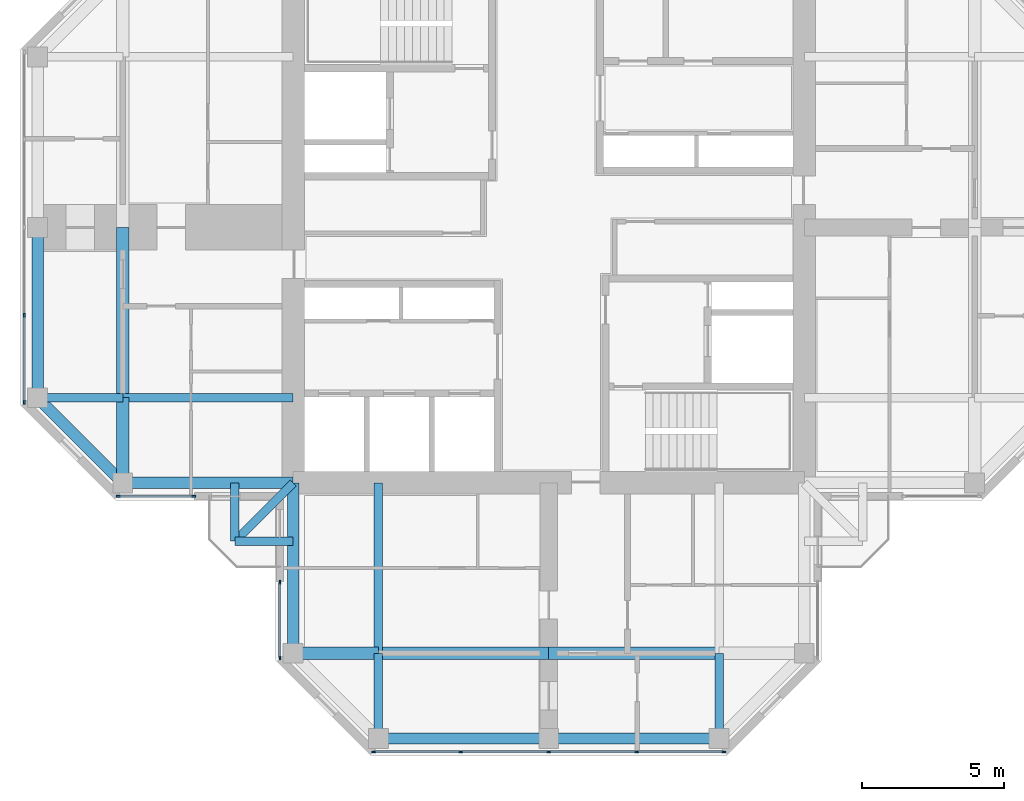
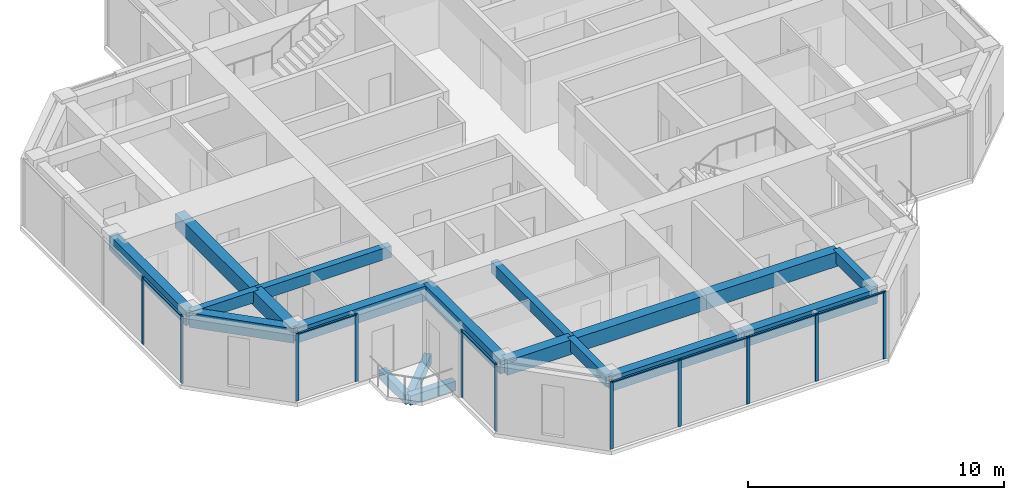
# One storey, part 2 of 13: 19 beams, 18 members, 4 elements without a shape of their own.
"""IFC4 building model written with IfcOpenShell, lengths in metres."""

import ifcopenshell
import ifcopenshell.guid

model = None  # the IFC model being written
_history = None  # IfcOwnerHistory: only IFC2X3 demands one
_inside = {}  # id of a spatial element -> (the spatial element, [elements in it])
_under = {}  # id of a project, library or spatial element -> (it, [spatial elements below it])
_declared = {}  # id of a project -> (the project, [libraries it declares])
_typed = {}  # id of a type object -> (the type object, [elements of that type])
_made_of = {}  # id of a material, layer set ... -> (it, [elements and type objects made of it])


def new_model(schema):
    """Start an empty IFC model of exactly this schema.

    Asked for "IFC4X3", IfcOpenShell would pick the latest addendum, in which some entities
    have other attributes; the version numbers below select the first issue.
    IFC2X3 requires an IfcOwnerHistory on every rooted entity: one is made here for all.
    """
    global model, _history
    if schema == "IFC4X3":
        model = ifcopenshell.file(schema_version=(4, 3, 0, 0))
    else:
        model = ifcopenshell.file(schema=schema)
    _inside.clear()
    _under.clear()
    _declared.clear()
    _typed.clear()
    _made_of.clear()
    _history = None
    if model.schema == "IFC2X3":
        org = make("IfcOrganization", Name="unknown")
        user = make(
            "IfcPersonAndOrganization",
            ThePerson=make("IfcPerson", FamilyName="unknown"),
            TheOrganization=org,
        )
        app = make(
            "IfcApplication",
            ApplicationDeveloper=org,
            Version="unknown",
            ApplicationFullName="unknown",
            ApplicationIdentifier="unknown",
        )
        _history = make(
            "IfcOwnerHistory",
            OwningUser=user,
            OwningApplication=app,
            ChangeAction="ADDED",
            CreationDate=0,
        )
    return model


def make(cls, **values):
    """One entity of the class cls with the attributes given. An attribute that is None is left unset."""
    return model.create_entity(
        cls, **{name: value for name, value in values.items() if value is not None}
    )


def rooted(cls, **values):
    """An entity with a GlobalId (a new one), such as an element, a storey or a relation."""
    return make(cls, GlobalId=ifcopenshell.guid.new(), OwnerHistory=_history, **values)


def si_unit(unit_type, name, prefix=None):
    """IfcSIUnit, for example si_unit("LENGTHUNIT", "METRE", prefix="MILLI")."""
    return make("IfcSIUnit", UnitType=unit_type, Prefix=prefix, Name=name)


def assignment(units):
    """IfcUnitAssignment: the units of a project."""
    return None if units is None else make("IfcUnitAssignment", Units=units)


def point(xyz):
    """IfcCartesianPoint."""
    return None if xyz is None else make("IfcCartesianPoint", Coordinates=xyz)


def direction(xyz):
    """IfcDirection."""
    return None if xyz is None else make("IfcDirection", DirectionRatios=xyz)


def frame(location, z_axis=None, x_axis=None):
    """IfcAxis2Placement3D, a coordinate frame: its origin and axes. An axis left out is left unset."""
    return make(
        "IfcAxis2Placement3D",
        Location=point(location),
        Axis=direction(z_axis),
        RefDirection=direction(x_axis),
    )


def frame_2d(location, x_axis=None):
    """IfcAxis2Placement2D, a coordinate frame in the plane: its origin and x axis."""
    return make(
        "IfcAxis2Placement2D", Location=point(location), RefDirection=direction(x_axis)
    )


def origin():
    """The frame at (0, 0, 0) with its axes left unset."""
    return frame((0.0, 0.0, 0.0))


def origin_2d():
    """The frame at (0, 0) in the plane with its x axis left unset."""
    return frame_2d((0.0, 0.0))


def place(relative_to, where):
    """IfcLocalPlacement: puts the frame where relative to a parent placement (None: the world)."""
    return make(
        "IfcLocalPlacement", PlacementRelTo=relative_to, RelativePlacement=where
    )


def context(
    kind, dimensions, precision=None, world=None, true_north=None, identifier=None
):
    """IfcGeometricRepresentationContext, for example the 3D "Model" context."""
    return make(
        "IfcGeometricRepresentationContext",
        ContextIdentifier=identifier,
        ContextType=kind,
        CoordinateSpaceDimension=dimensions,
        Precision=precision,
        WorldCoordinateSystem=world,
        TrueNorth=true_north,
    )


def subcontext(parent, identifier, kind, view, scale=None):
    """IfcGeometricRepresentationSubContext, for example "Body" below "Model"."""
    return make(
        "IfcGeometricRepresentationSubContext",
        ContextIdentifier=identifier,
        ContextType=kind,
        ParentContext=parent,
        TargetScale=scale,
        TargetView=view,
    )


def project(units=None, contexts=None):
    """IfcProject with its units and contexts."""
    return rooted(
        "IfcProject",
        Name="project",
        RepresentationContexts=contexts,
        UnitsInContext=assignment(units),
    )


def spatial(cls, under=None, at=None, **own):
    """A site, building, storey or space (cls), placed at a placement, below another one or the project."""
    s = rooted(cls, ObjectPlacement=at, **own)
    if under is not None:
        _under.setdefault(under.id(), (under, []))[1].append(s)
    return s


def profile(cls, at=None, kind="AREA", **sizes):
    """A parametric profile (cls). Its sizes go by their IFC names, for example OverallWidth=200.0."""
    return make(cls, ProfileType=kind, Position=at, **sizes)


def rectangle(**sizes):
    """IfcRectangleProfileDef."""
    return profile("IfcRectangleProfileDef", **sizes)


def extrude(swept, where, along, depth):
    """IfcExtrudedAreaSolid: the profile swept, set in the frame where, extruded along a direction by depth."""
    return make(
        "IfcExtrudedAreaSolid",
        SweptArea=swept,
        Position=where,
        ExtrudedDirection=direction(along),
        Depth=depth,
    )


def shape(context_of_items, identifier, shape_type, items):
    """IfcShapeRepresentation: the items that make up one representation, for example the "Body"."""
    return make(
        "IfcShapeRepresentation",
        ContextOfItems=context_of_items,
        RepresentationIdentifier=identifier,
        RepresentationType=shape_type,
        Items=items,
    )


def material(Name=None, Category=None):
    """IfcMaterial."""
    return make("IfcMaterial", Name=Name, Category=Category)


def material_profile(
    of_material, cross_section, Name=None, Category=None, Priority=None
):
    """IfcMaterialProfile: a cross section and its material."""
    return make(
        "IfcMaterialProfile",
        Name=Name,
        Material=of_material,
        Profile=cross_section,
        Priority=Priority,
        Category=Category,
    )


def profile_set(profiles, Name=None, composite=None):
    """IfcMaterialProfileSet."""
    return make(
        "IfcMaterialProfileSet",
        Name=Name,
        MaterialProfiles=profiles,
        CompositeProfile=composite,
    )


def made_of(thing, what):
    """Note that an element or type object is made of a material, layer set ...; save() writes the relation."""
    if what is not None:
        _made_of.setdefault(what.id(), (what, []))[1].append(thing)
    return thing


def type_object(cls, material=None, **own):
    """A type object (cls), such as IfcWallType, which elements share."""
    return made_of(rooted(cls, **own), material)


def element(
    cls,
    number,
    at=None,
    inside=None,
    cuts=None,
    type_object=None,
    material=None,
    context=None,
    identifier="Body",
    shape_type=None,
    held_by="IfcProductDefinitionShape",
    body=None,
    shapes=None,
    **own,
):
    """One element of the class cls, such as IfcWall. Its Tag is "e" and its number.

    at: its placement. inside: the storey or other place that contains it. cuts: it is an
    opening in that element (IfcRelVoidsElement). A single representation is given by context,
    identifier, shape_type and body (its items); several are given by shapes. held_by: the class
    of the entity that holds the representations. save() writes the other relations.
    """
    e = rooted(cls, Tag="e%d" % number, ObjectPlacement=at, **own)
    if body is not None:
        shapes = [shape(context, identifier, shape_type, body)]
    if shapes is not None:
        e.Representation = make(held_by, Representations=shapes)
    if inside is not None:
        _inside.setdefault(inside.id(), (inside, []))[1].append(e)
    if cuts is not None:
        rooted(
            "IfcRelVoidsElement", RelatingBuildingElement=cuts, RelatedOpeningElement=e
        )
    if type_object is not None:
        _typed.setdefault(type_object.id(), (type_object, []))[1].append(e)
    return made_of(e, material)


def aggregate(whole, parts):
    """IfcRelAggregates: a whole, such as a stair, and the parts it consists of."""
    return rooted("IfcRelAggregates", RelatingObject=whole, RelatedObjects=parts)


def save(model, path):
    """Write the relations noted so far, then the file.

    IfcRelAggregates (storeys below a building ...), IfcRelContainedInSpatialStructure (elements
    in a storey), IfcRelDefinesByType, IfcRelAssociatesMaterial and IfcRelDeclares: one each for
    every whole, place, type object, material and project.
    """
    for whole, parts in _under.values():
        aggregate(whole, parts)
    for where, things in _inside.values():
        rooted(
            "IfcRelContainedInSpatialStructure",
            RelatedElements=things,
            RelatingStructure=where,
        )
    for kind, things in _typed.values():
        rooted("IfcRelDefinesByType", RelatedObjects=things, RelatingType=kind)
    for what, things in _made_of.values():
        rooted("IfcRelAssociatesMaterial", RelatedObjects=things, RelatingMaterial=what)
    for by, libraries in _declared.values():
        rooted("IfcRelDeclares", RelatingContext=by, RelatedDefinitions=libraries)
    model.write(path)


model = new_model("IFC4")

# Units and contexts
model_context = context("Model", 3, precision=1e-05, world=origin(), true_north=direction((0.0, 1.0)))
body_context = subcontext(model_context, "Body", "Model", "MODEL_VIEW")
ifc_project = project(units=[si_unit("LENGTHUNIT", "METRE"), si_unit("AREAUNIT", "SQUARE_METRE"), si_unit("VOLUMEUNIT", "CUBIC_METRE"), si_unit("PLANEANGLEUNIT", "RADIAN"), si_unit("MASSUNIT", "GRAM", prefix="KILO")], contexts=[model_context])

# Site, building, storey
site_placement = place(None, origin())
site = spatial("IfcSite", under=ifc_project, at=site_placement, CompositionType="ELEMENT")
building_placement = place(site_placement, origin())
building = spatial("IfcBuilding", under=site, at=building_placement, Name="Torre Cruceta", CompositionType="ELEMENT")
storey_placement = place(building_placement, frame((0.0, 0.0, 264.5)))
storey = spatial("IfcBuildingStorey", under=building, at=storey_placement, Name="L68", CompositionType="ELEMENT", Elevation=264.5)

# Beams
ifc_material_1 = material(Name="Concrete G60 (fck 60 MPa)", Category="concrete")
ifc_material_profile_1 = material_profile(ifc_material_1, rectangle(XDim=0.300048828125, YDim=0.449951171875, at=origin_2d()), Name="RC 300X450")
ifc_profile_set_1 = profile_set([ifc_material_profile_1], Name="Concrete G60 (fck 60 MPa)")
beam_type_1 = type_object("IfcBeamType", Name="BALCONY CANTILEVER BEAM RC 300X450", PredefinedType="BEAM", material=ifc_profile_set_1)
beam_1_placement = place(storey_placement, frame((-9.0, -9.0, -0.405029296875), z_axis=(-0.707106781187, -0.707106781187, 0.0), x_axis=(0.707106781187, -0.707106781187, 0.0)))
element("IfcBeam", 1, at=beam_1_placement, inside=storey, type_object=beam_type_1, Name="BB1 balcony beam L68 W", PredefinedType="BEAM", context=body_context, shape_type="SweptSolid", body=[
    extrude(rectangle(XDim=0.300048828125, YDim=0.449951171875, at=origin_2d()), origin(), (0.0, 0.0, 1.0), 2.89990234375),
])
for number, where, z_axis, x_axis, name in (
    (2, (-11.050537109375, -9.0, -0.405029296875), (0.0, -1.0, 0.0), (1.0, 0.0, 0.0), "BB1 balcony edge beam L68 W-X"),
    (3, (-9.0, -11.050537109375, -0.405029296875), (-1.0, 0.0, 0.0), (0.0, -1.0, 0.0), "BB1 balcony edge beam L68 W-Y"),
):
    element("IfcBeam", number, at=place(storey_placement, frame(where, z_axis=z_axis, x_axis=x_axis)), inside=storey, type_object=beam_type_1, Name=name, PredefinedType="BEAM", context=body_context, shape_type="SweptSolid", body=[
        extrude(rectangle(XDim=0.300048828125, YDim=0.449951171875, at=origin_2d()), origin(), (0.0, 0.0, 1.0), 2.050537109375),
    ])
ifc_material_2 = material(Name="Concrete G60 (fck 60 MPa)", Category="concrete")
ifc_material_profile_2 = material_profile(ifc_material_2, rectangle(XDim=0.300048828125, YDim=0.550048828125, at=origin_2d()), Name="RC 300X550")
ifc_profile_set_2 = profile_set([ifc_material_profile_2], Name="Concrete G60 (fck 60 MPa)")
beam_type_2 = type_object("IfcBeamType", Name="COLUMN LINE BEAM RC 300X550", PredefinedType="BEAM", material=ifc_profile_set_2)
beam_2_placement = place(storey_placement, frame((-6.0, -9.0, 2.945068359375), z_axis=(0.0, -1.0, 0.0), x_axis=(1.0, 0.0, 0.0)))
element("IfcBeam", 4, at=beam_2_placement, inside=storey, type_object=beam_type_2, Name="LB10 L68 S col- 1", PredefinedType="BEAM", context=body_context, shape_type="SweptSolid", body=[
    extrude(rectangle(XDim=0.300048828125, YDim=0.550048828125, at=origin_2d()), origin(), (0.0, 0.0, 1.0), 6.0),
])
for number, where, z_axis, x_axis, name in (
    (5, (-6.0, -15.0, 2.945068359375), (0.0, -1.0, 0.0), (1.0, 0.0, 0.0), "LB10 L68 S col- 2"),
    (6, (6.0, -15.0, 2.945068359375), (0.0, -1.0, 0.0), (1.0, 0.0, 0.0), "LB10 L68 S col+ 2"),
):
    element("IfcBeam", number, at=place(storey_placement, frame(where, z_axis=z_axis, x_axis=x_axis)), inside=storey, type_object=beam_type_2, Name=name, PredefinedType="BEAM", context=body_context, shape_type="SweptSolid", body=[
        extrude(rectangle(XDim=0.300048828125, YDim=0.550048828125, at=origin_2d()), origin(), (0.0, 0.0, 1.0), 3.0),
    ])
beam_3_placement = place(storey_placement, frame((-9.0, -6.0, 2.945068359375), z_axis=(-1.0, 0.0, 0.0), x_axis=(0.0, -1.0, 0.0)))
element("IfcBeam", 7, at=beam_3_placement, inside=storey, type_object=beam_type_2, Name="LB10 L68 W col+ 1", PredefinedType="BEAM", context=body_context, shape_type="SweptSolid", body=[
    extrude(rectangle(XDim=0.300048828125, YDim=0.550048828125, at=origin_2d()), origin(), (0.0, 0.0, 1.0), 6.0),
])
beam_4_placement = place(storey_placement, frame((-15.0, -6.0, 2.945068359375), z_axis=(-1.0, 0.0, 0.0), x_axis=(0.0, -1.0, 0.0)))
element("IfcBeam", 8, at=beam_4_placement, inside=storey, type_object=beam_type_2, Name="LB10 L68 W col+ 2", PredefinedType="BEAM", context=body_context, shape_type="SweptSolid", body=[
    extrude(rectangle(XDim=0.300048828125, YDim=0.550048828125, at=origin_2d()), origin(), (0.0, 0.0, 1.0), 3.0),
])
ifc_material_3 = material(Name="Concrete G60 (fck 60 MPa)", Category="concrete")
ifc_material_profile_3 = material_profile(ifc_material_3, rectangle(XDim=0.449951171875, YDim=0.699951171875, at=origin_2d()), Name="RC 450X700")
ifc_profile_set_3 = profile_set([ifc_material_profile_3], Name="Concrete G60 (fck 60 MPa)")
beam_type_3 = type_object("IfcBeamType", Name="CROSS BEAM RC 450X700", PredefinedType="BEAM", material=ifc_profile_set_3)
beam_5_placement = place(storey_placement, frame((-9.0, -15.0, 2.8701171875), z_axis=(1.0, 0.0, 0.0), x_axis=(0.0, 1.0, 0.0)))
element("IfcBeam", 9, at=beam_5_placement, inside=storey, type_object=beam_type_3, Name="GB8 L68 S cross15 1", PredefinedType="BEAM", context=body_context, shape_type="SweptSolid", body=[
    extrude(rectangle(XDim=0.449951171875, YDim=0.699951171875, at=origin_2d()), origin(), (0.0, 0.0, 1.0), 3.0),
])
for number, where, z_axis, x_axis, name in (
    (10, (-6.0, -15.0, 2.8701171875), (1.0, 0.0, 0.0), (0.0, 1.0, 0.0), "GB8 L68 S cross15 2"),
    (11, (0.0, -15.0, 2.8701171875), (1.0, 0.0, 0.0), (0.0, 1.0, 0.0), "GB8 L68 S cross15 3"),
    (12, (-15.0, 0.0, 2.8701171875), (0.0, -1.0, 0.0), (1.0, 0.0, 0.0), "GB8 L68 W cross15 3"),
):
    element("IfcBeam", number, at=place(storey_placement, frame(where, z_axis=z_axis, x_axis=x_axis)), inside=storey, type_object=beam_type_3, Name=name, PredefinedType="BEAM", context=body_context, shape_type="SweptSolid", body=[
        extrude(rectangle(XDim=0.449951171875, YDim=0.699951171875, at=origin_2d()), origin(), (0.0, 0.0, 1.0), 6.0),
    ])
beam_6_placement = place(storey_placement, frame((-15.0, -6.0, 2.8701171875), z_axis=(0.0, -1.0, 0.0), x_axis=(1.0, 0.0, 0.0)))
element("IfcBeam", 13, at=beam_6_placement, inside=storey, type_object=beam_type_3, Name="GB8 L68 W cross15 4", PredefinedType="BEAM", context=body_context, shape_type="SweptSolid", body=[
    extrude(rectangle(XDim=0.449951171875, YDim=0.699951171875, at=origin_2d()), origin(), (0.0, 0.0, 1.0), 3.0),
])

# Curtain wall, members
ifc_material_4 = material(Name="Aluminium unitised curtain wall", Category="aluminium")
curtain_wall_type = type_object("IfcCurtainWallType", Name="CURTAIN WALL CW-E CO-LIVING TOP", PredefinedType="USERDEFINED", material=ifc_material_4)
curtain_wall_1_placement = place(storey_placement, origin())
curtain_wall_1 = element("IfcCurtainWall", 14, at=curtain_wall_1_placement, inside=storey, type_object=curtain_wall_type, Name="CW-E L68 W tip 12", ObjectType="UNITISED", PredefinedType="USERDEFINED")
ifc_material_5 = material(Name="Aluminium mullion", Category="aluminium")
ifc_material_profile_4 = material_profile(ifc_material_5, rectangle(XDim=0.054931640625, YDim=0.139892578125, at=origin_2d()), Name="AL 55X140")
ifc_profile_set_4 = profile_set([ifc_material_profile_4], Name="Aluminium mullion")
member_type_1 = type_object("IfcMemberType", Name="CW-E MULLION 55X140", PredefinedType="MULLION", material=ifc_profile_set_4)
member_1_placement = place(storey_placement, frame((-18.469970703125, -3.097412109375, 0.0), z_axis=(0.0, 0.0, 1.0), x_axis=(1.0, 0.0, 0.0)))
member_1 = element("IfcMember", 15, at=member_1_placement, type_object=member_type_1, Name="CW-E mullion 4", PredefinedType="MULLION", context=body_context, shape_type="SweptSolid", body=[
    extrude(rectangle(XDim=0.054931640625, YDim=0.139892578125, at=origin_2d()), origin(), (0.0, 0.0, 1.0), 3.219970703125),
])
member_2_placement = place(storey_placement, frame((-18.469970703125, -6.167236328125, 0.0), z_axis=(0.0, 0.0, 1.0), x_axis=(1.0, 0.0, 0.0)))
member_2 = element("IfcMember", 16, at=member_2_placement, type_object=member_type_1, Name="CW-E mullion 5", PredefinedType="MULLION", context=body_context, shape_type="SweptSolid", body=[
    extrude(rectangle(XDim=0.054931640625, YDim=0.139892578125, at=origin_2d()), origin(), (0.0, 0.0, 1.0), 3.219970703125),
])

curtain_wall_2_placement = place(storey_placement, origin())
curtain_wall_2 = element("IfcCurtainWall", 17, at=curtain_wall_2_placement, inside=storey, type_object=curtain_wall_type, Name="CW-E L68 W side 14", ObjectType="UNITISED", PredefinedType="USERDEFINED")
member_3_placement = place(storey_placement, frame((-15.167236328125, -9.469970703125, 0.0), z_axis=(0.0, 0.0, 1.0), x_axis=(0.0, 1.0, 0.0)))
member_3 = element("IfcMember", 18, at=member_3_placement, type_object=member_type_1, Name="CW-E mullion 1", PredefinedType="MULLION", context=body_context, shape_type="SweptSolid", body=[
    extrude(rectangle(XDim=0.054931640625, YDim=0.139892578125, at=origin_2d()), origin(), (0.0, 0.0, 1.0), 3.219970703125),
])
member_4_placement = place(storey_placement, frame((-12.49755859375, -9.469970703125, 0.0), z_axis=(0.0, 0.0, 1.0), x_axis=(0.0, 1.0, 0.0)))
member_4 = element("IfcMember", 19, at=member_4_placement, type_object=member_type_1, Name="CW-E mullion 2", PredefinedType="MULLION", context=body_context, shape_type="SweptSolid", body=[
    extrude(rectangle(XDim=0.054931640625, YDim=0.139892578125, at=origin_2d()), origin(), (0.0, 0.0, 1.0), 3.219970703125),
])

curtain_wall_3_placement = place(storey_placement, origin())
curtain_wall_3 = element("IfcCurtainWall", 20, at=curtain_wall_3_placement, inside=storey, type_object=curtain_wall_type, Name="CW-E L68 S side 15", ObjectType="UNITISED", PredefinedType="USERDEFINED")
member_5_placement = place(storey_placement, frame((-9.469970703125, -12.49755859375, 0.0), z_axis=(0.0, 0.0, 1.0), x_axis=(1.0, 0.0, 0.0)))
member_5 = element("IfcMember", 21, at=member_5_placement, type_object=member_type_1, Name="CW-E mullion 1", PredefinedType="MULLION", context=body_context, shape_type="SweptSolid", body=[
    extrude(rectangle(XDim=0.054931640625, YDim=0.139892578125, at=origin_2d()), origin(), (0.0, 0.0, 1.0), 3.219970703125),
])
member_6_placement = place(storey_placement, frame((-9.469970703125, -15.167236328125, 0.0), z_axis=(0.0, 0.0, 1.0), x_axis=(1.0, 0.0, 0.0)))
member_6 = element("IfcMember", 22, at=member_6_placement, type_object=member_type_1, Name="CW-E mullion 2", PredefinedType="MULLION", context=body_context, shape_type="SweptSolid", body=[
    extrude(rectangle(XDim=0.054931640625, YDim=0.139892578125, at=origin_2d()), origin(), (0.0, 0.0, 1.0), 3.219970703125),
])

curtain_wall_4_placement = place(storey_placement, origin())
curtain_wall_4 = element("IfcCurtainWall", 23, at=curtain_wall_4_placement, inside=storey, type_object=curtain_wall_type, Name="CW-E L68 S tip 17", ObjectType="UNITISED", PredefinedType="USERDEFINED")
member_7_placement = place(storey_placement, frame((-6.167236328125, -18.469970703125, 0.0), z_axis=(0.0, 0.0, 1.0), x_axis=(0.0, 1.0, 0.0)))
member_7 = element("IfcMember", 24, at=member_7_placement, type_object=member_type_1, Name="CW-E mullion 1", PredefinedType="MULLION", context=body_context, shape_type="SweptSolid", body=[
    extrude(rectangle(XDim=0.054931640625, YDim=0.139892578125, at=origin_2d()), origin(), (0.0, 0.0, 1.0), 3.219970703125),
])
member_8_placement = place(storey_placement, frame((-3.097412109375, -18.469970703125, 0.0), z_axis=(0.0, 0.0, 1.0), x_axis=(0.0, 1.0, 0.0)))
member_8 = element("IfcMember", 25, at=member_8_placement, type_object=member_type_1, Name="CW-E mullion 2", PredefinedType="MULLION", context=body_context, shape_type="SweptSolid", body=[
    extrude(rectangle(XDim=0.054931640625, YDim=0.139892578125, at=origin_2d()), origin(), (0.0, 0.0, 1.0), 3.219970703125),
])
member_9_placement = place(storey_placement, frame((0.0, -18.469970703125, 0.0), z_axis=(0.0, 0.0, 1.0), x_axis=(0.0, 1.0, 0.0)))
member_9 = element("IfcMember", 26, at=member_9_placement, type_object=member_type_1, Name="CW-E mullion 3", PredefinedType="MULLION", context=body_context, shape_type="SweptSolid", body=[
    extrude(rectangle(XDim=0.054931640625, YDim=0.139892578125, at=origin_2d()), origin(), (0.0, 0.0, 1.0), 3.219970703125),
])
member_10_placement = place(storey_placement, frame((3.097412109375, -18.469970703125, 0.0), z_axis=(0.0, 0.0, 1.0), x_axis=(0.0, 1.0, 0.0)))
member_10 = element("IfcMember", 27, at=member_10_placement, type_object=member_type_1, Name="CW-E mullion 4", PredefinedType="MULLION", context=body_context, shape_type="SweptSolid", body=[
    extrude(rectangle(XDim=0.054931640625, YDim=0.139892578125, at=origin_2d()), origin(), (0.0, 0.0, 1.0), 3.219970703125),
])
member_11_placement = place(storey_placement, frame((6.167236328125, -18.469970703125, 0.0), z_axis=(0.0, 0.0, 1.0), x_axis=(0.0, 1.0, 0.0)))
member_11 = element("IfcMember", 28, at=member_11_placement, type_object=member_type_1, Name="CW-E mullion 5", PredefinedType="MULLION", context=body_context, shape_type="SweptSolid", body=[
    extrude(rectangle(XDim=0.054931640625, YDim=0.139892578125, at=origin_2d()), origin(), (0.0, 0.0, 1.0), 3.219970703125),
])

# Member
ifc_material_6 = material(Name="Aluminium transom", Category="aluminium")
ifc_material_profile_5 = material_profile(ifc_material_6, rectangle(XDim=0.090087890625, YDim=0.054931640625, at=origin_2d()), Name="AL 90X55")
ifc_profile_set_5 = profile_set([ifc_material_profile_5], Name="Aluminium transom")
member_type_2 = type_object("IfcMemberType", Name="CW-E TRANSOM 55X90", PredefinedType="USERDEFINED", material=ifc_profile_set_5)
member_12_placement = place(storey_placement, frame((-18.469970703125, -3.124755859375, 3.1923828125), z_axis=(0.0, -1.0, 0.0), x_axis=(1.0, 0.0, 0.0)))
member_12 = element("IfcMember", 29, at=member_12_placement, type_object=member_type_2, Name="CW-E transom 4", ObjectType="TRANSOM", PredefinedType="USERDEFINED", context=body_context, shape_type="SweptSolid", body=[
    extrude(rectangle(XDim=0.090087890625, YDim=0.054931640625, at=origin_2d()), origin(), (0.0, 0.0, 1.0), 3.014892578125),
])

aggregate(curtain_wall_1, [member_1, member_2, member_12])

member_13_placement = place(storey_placement, frame((-15.1396484375, -9.469970703125, 3.1923828125), z_axis=(1.0, 0.0, 0.0), x_axis=(0.0, 1.0, 0.0)))
member_13 = element("IfcMember", 30, at=member_13_placement, type_object=member_type_2, Name="CW-E transom 1", ObjectType="TRANSOM", PredefinedType="USERDEFINED", context=body_context, shape_type="SweptSolid", body=[
    extrude(rectangle(XDim=0.090087890625, YDim=0.054931640625, at=origin_2d()), origin(), (0.0, 0.0, 1.0), 2.61474609375),
])

aggregate(curtain_wall_2, [member_3, member_4, member_13])

member_14_placement = place(storey_placement, frame((-9.469970703125, -12.52490234375, 3.1923828125), z_axis=(0.0, -1.0, 0.0), x_axis=(1.0, 0.0, 0.0)))
member_14 = element("IfcMember", 31, at=member_14_placement, type_object=member_type_2, Name="CW-E transom 1", ObjectType="TRANSOM", PredefinedType="USERDEFINED", context=body_context, shape_type="SweptSolid", body=[
    extrude(rectangle(XDim=0.090087890625, YDim=0.054931640625, at=origin_2d()), origin(), (0.0, 0.0, 1.0), 2.61474609375),
])

aggregate(curtain_wall_3, [member_5, member_6, member_14])

member_15_placement = place(storey_placement, frame((-6.1396484375, -18.469970703125, 3.1923828125), z_axis=(1.0, 0.0, 0.0), x_axis=(0.0, 1.0, 0.0)))
member_15 = element("IfcMember", 32, at=member_15_placement, type_object=member_type_2, Name="CW-E transom 1", ObjectType="TRANSOM", PredefinedType="USERDEFINED", context=body_context, shape_type="SweptSolid", body=[
    extrude(rectangle(XDim=0.090087890625, YDim=0.054931640625, at=origin_2d()), origin(), (0.0, 0.0, 1.0), 3.014892578125),
])

member_16_placement = place(storey_placement, frame((-3.06982421875, -18.469970703125, 3.1923828125), z_axis=(1.0, 0.0, 0.0), x_axis=(0.0, 1.0, 0.0)))
member_16 = element("IfcMember", 33, at=member_16_placement, type_object=member_type_2, Name="CW-E transom 2", ObjectType="TRANSOM", PredefinedType="USERDEFINED", context=body_context, shape_type="SweptSolid", body=[
    extrude(rectangle(XDim=0.090087890625, YDim=0.054931640625, at=origin_2d()), origin(), (0.0, 0.0, 1.0), 3.042236328125),
])

member_17_placement = place(storey_placement, frame((0.027587890625, -18.469970703125, 3.1923828125), z_axis=(1.0, 0.0, 0.0), x_axis=(0.0, 1.0, 0.0)))
member_17 = element("IfcMember", 34, at=member_17_placement, type_object=member_type_2, Name="CW-E transom 3", ObjectType="TRANSOM", PredefinedType="USERDEFINED", context=body_context, shape_type="SweptSolid", body=[
    extrude(rectangle(XDim=0.090087890625, YDim=0.054931640625, at=origin_2d()), origin(), (0.0, 0.0, 1.0), 3.042236328125),
])

member_18_placement = place(storey_placement, frame((3.124755859375, -18.469970703125, 3.1923828125), z_axis=(1.0, 0.0, 0.0), x_axis=(0.0, 1.0, 0.0)))
member_18 = element("IfcMember", 35, at=member_18_placement, type_object=member_type_2, Name="CW-E transom 4", ObjectType="TRANSOM", PredefinedType="USERDEFINED", context=body_context, shape_type="SweptSolid", body=[
    extrude(rectangle(XDim=0.090087890625, YDim=0.054931640625, at=origin_2d()), origin(), (0.0, 0.0, 1.0), 3.014892578125),
])

aggregate(curtain_wall_4, [member_7, member_8, member_9, member_10, member_11, member_15, member_16, member_17, member_18])

# Beams
ifc_material_7 = material(Name="Concrete G60 (fck 60 MPa)", Category="concrete")
ifc_material_profile_6 = material_profile(ifc_material_7, rectangle(XDim=0.39990234375, YDim=0.699951171875, at=origin_2d()), Name="RC 400X700")
ifc_profile_set_6 = profile_set([ifc_material_profile_6], Name="Concrete G60 (fck 60 MPa)")
beam_type_4 = type_object("IfcBeamType", Name="SPANDREL BEAM RC 400X700", PredefinedType="SPANDREL", material=ifc_profile_set_6)
for number, where, z_axis, x_axis, name in (
    (36, (-9.0, -9.0, 2.8701171875), (0.0, -1.0, 0.0), (1.0, 0.0, 0.0), "SB8 L68 S side- 1"),
    (37, (-6.0, -18.0, 2.8701171875), (1.0, 0.0, 0.0), (0.0, 1.0, 0.0), "SB8 L68 S tip 1"),
    (38, (0.0, -18.0, 2.8701171875), (1.0, 0.0, 0.0), (0.0, 1.0, 0.0), "SB8 L68 S tip 2"),
    (39, (-9.0, -9.0, 2.8701171875), (-1.0, 0.0, 0.0), (0.0, -1.0, 0.0), "SB8 L68 W side+ 1"),
):
    element("IfcBeam", number, at=place(storey_placement, frame(where, z_axis=z_axis, x_axis=x_axis)), inside=storey, type_object=beam_type_4, Name=name, PredefinedType="SPANDREL", context=body_context, shape_type="SweptSolid", body=[
        extrude(rectangle(XDim=0.39990234375, YDim=0.699951171875, at=origin_2d()), origin(), (0.0, 0.0, 1.0), 6.0),
    ])
beam_7_placement = place(storey_placement, frame((-15.0, -9.0, 2.8701171875), z_axis=(-0.707106781187, 0.707106781187, 0.0), x_axis=(-0.707106781187, -0.707106781187, 0.0)))
element("IfcBeam", 40, at=beam_7_placement, inside=storey, type_object=beam_type_4, Name="SB8 L68 W side+ 2", PredefinedType="SPANDREL", context=body_context, shape_type="SweptSolid", body=[
    extrude(rectangle(XDim=0.39990234375, YDim=0.699951171875, at=origin_2d()), origin(), (0.0, 0.0, 1.0), 4.24267578125),
])
beam_8_placement = place(storey_placement, frame((-18.0, 0.0, 2.8701171875), z_axis=(0.0, -1.0, 0.0), x_axis=(1.0, 0.0, 0.0)))
element("IfcBeam", 41, at=beam_8_placement, inside=storey, type_object=beam_type_4, Name="SB8 L68 W tip 2", PredefinedType="SPANDREL", context=body_context, shape_type="SweptSolid", body=[
    extrude(rectangle(XDim=0.39990234375, YDim=0.699951171875, at=origin_2d()), origin(), (0.0, 0.0, 1.0), 6.0),
])

save(model, "model.ifc")
